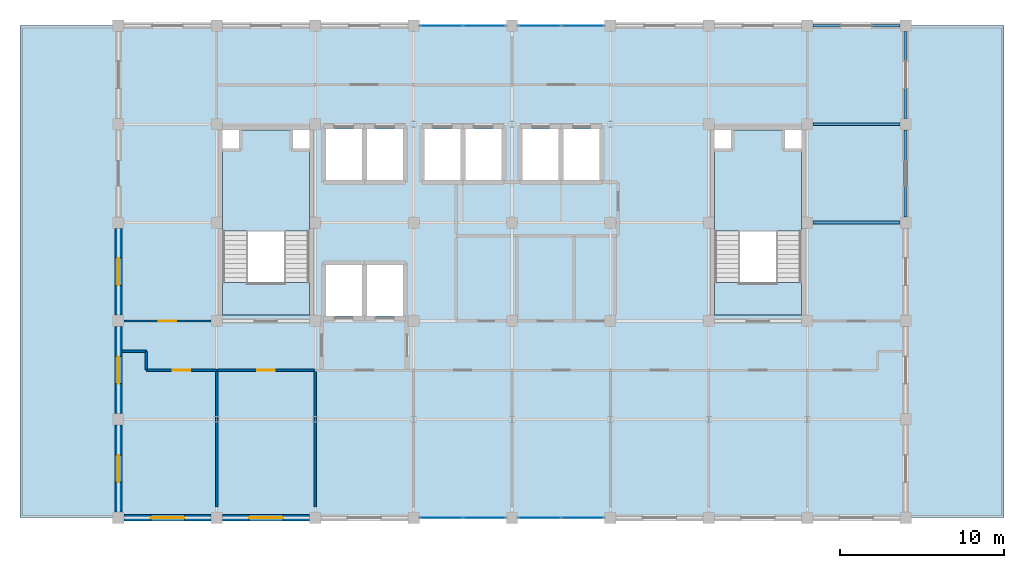
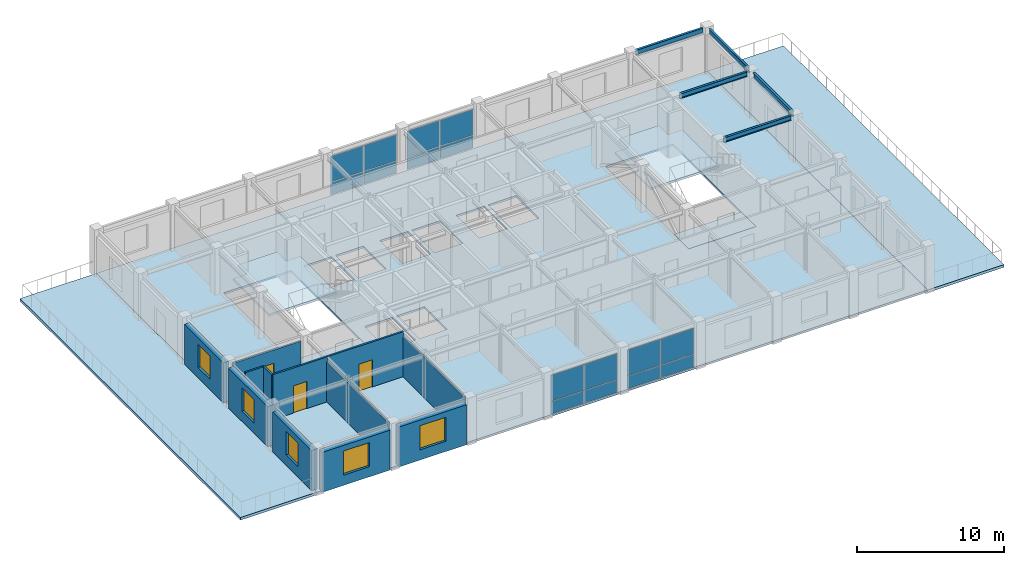
# One storey, part 11 of 15: 16 plates, 12 walls, 7 slabs, 5 beams, 5 windows, 3 doors, 8 openings, 6 elements without a shape of their own.
"""IFC4 building model written with IfcOpenShell, lengths in metres."""

from ifc_helpers import new_model, si_unit, direction, frame, frame_2d, origin, origin_2d, place, context, subcontext, project, spatial, polyline, rectangle, i_section, outline, extrude, material, layer, layer_set, material_profile, profile_set, type_object, element, fill, aggregate, save


model = new_model("IFC4")

# Units and contexts
model_context = context("Model", 3, precision=1e-05, world=origin(), true_north=direction((0.0, 1.0)))
body_context = subcontext(model_context, "Body", "Model", "MODEL_VIEW")
ifc_project = project(units=[si_unit("LENGTHUNIT", "METRE"), si_unit("AREAUNIT", "SQUARE_METRE"), si_unit("VOLUMEUNIT", "CUBIC_METRE"), si_unit("PLANEANGLEUNIT", "RADIAN"), si_unit("MASSUNIT", "GRAM", prefix="KILO")], contexts=[model_context])

# Site, building, storey
site_placement = place(None, origin())
site = spatial("IfcSite", under=ifc_project, at=site_placement, CompositionType="ELEMENT")
building_placement = place(site_placement, origin())
building = spatial("IfcBuilding", under=site, at=building_placement, Name="Zlatovratsky Civic Hall", CompositionType="ELEMENT")
storey_placement = place(building_placement, frame((0.0, 0.0, 36.60009765625)))
storey = spatial("IfcBuildingStorey", under=building, at=storey_placement, Name="L09", CompositionType="ELEMENT", Elevation=36.60009765625)

# Beams
ifc_material_1 = material(Name="Steel S355", Category="steel")
ifc_material_profile_1 = material_profile(ifc_material_1, i_section(OverallWidth=0.169921875, OverallDepth=0.446044921875, WebThickness=0.007568359375, FlangeThickness=0.010986328125, FilletRadius=0.01611328125, at=origin_2d()), Name="45B1")
ifc_profile_set_1 = profile_set([ifc_material_profile_1], Name="Steel S355")
beam_type_1 = type_object("IfcBeamType", Name="Beam_Spandrel_45B1", PredefinedType="SPANDREL", material=ifc_profile_set_1)
for number, where, z_axis, x_axis, name in (
    (1, (102.35009765625, 102.0, 3.516845703125), (1.0, 0.0, 0.0), (0.0, 1.0, 0.0), "BM-4562"),
    (2, (108.0, 90.35009765625, 3.516845703125), (0.0, 1.0, 0.0), (-1.0, 0.0, 0.0), "BM-4606"),
    (3, (108.0, 96.35009765625, 3.516845703125), (0.0, 1.0, 0.0), (-1.0, 0.0, 0.0), "BM-4607"),
):
    element("IfcBeam", number, at=place(storey_placement, frame(where, z_axis=z_axis, x_axis=x_axis)), inside=storey, type_object=beam_type_1, Name=name, PredefinedType="SPANDREL", context=body_context, shape_type="SweptSolid", body=[
        extrude(i_section(OverallWidth=0.169921875, OverallDepth=0.446044921875, WebThickness=0.007568359375, FlangeThickness=0.010986328125, FilletRadius=0.01611328125, at=origin_2d()), origin(), (0.0, 0.0, 1.0), 5.2998046875),
    ])
ifc_material_profile_2 = material_profile(ifc_material_1, i_section(OverallWidth=0.1650390625, OverallDepth=0.39208984375, WebThickness=0.006591796875, FlangeThickness=0.009521484375, FilletRadius=0.014892578125, at=origin_2d()), Name="40B1")
ifc_profile_set_2 = profile_set([ifc_material_profile_2], Name="Steel S355")
beam_type_2 = type_object("IfcBeamType", Name="Beam_Tie_40B1", PredefinedType="BEAM", material=ifc_profile_set_2)
for number, where, z_axis, x_axis, name in (
    (4, (102.35009765625, 90.0, 3.5439453125), (1.0, 0.0, 0.0), (0.0, 1.0, 0.0), "BM-4546"),
    (5, (102.35009765625, 96.0, 3.5439453125), (1.0, 0.0, 0.0), (0.0, 1.0, 0.0), "BM-4554"),
):
    element("IfcBeam", number, at=place(storey_placement, frame(where, z_axis=z_axis, x_axis=x_axis)), inside=storey, type_object=beam_type_2, Name=name, PredefinedType="BEAM", context=body_context, shape_type="SweptSolid", body=[
        extrude(i_section(OverallWidth=0.1650390625, OverallDepth=0.39208984375, WebThickness=0.006591796875, FlangeThickness=0.009521484375, FilletRadius=0.014892578125, at=origin_2d()), origin(), (0.0, 0.0, 1.0), 5.2998046875),
    ])

# Curtain wall, plates
ifc_material_2 = material(Name="Anodised bronze aluminium", Category="aluminium")
ifc_layer_1 = layer(ifc_material_2, 0.159912109375)
ifc_layer_set_1 = layer_set([ifc_layer_1], Name="Anodised bronze aluminium")
curtain_wall_type = type_object("IfcCurtainWallType", Name="CurtainWall_Bronze_5300x3320_21", PredefinedType="NOTDEFINED", material=ifc_layer_set_1)
curtain_wall_1_placement = place(storey_placement, origin())
curtain_wall_1 = element("IfcCurtainWall", 6, at=curtain_wall_1_placement, inside=storey, type_object=curtain_wall_type, Name="CW-145", PredefinedType="NOTDEFINED")
ifc_material_3 = material(Name="Solar-control triple glazing", Category="glass")
ifc_layer_2 = layer(ifc_material_3, 0.028076171875)
ifc_layer_set_2 = layer_set([ifc_layer_2], Name="Solar-control triple glazing")
plate_type = type_object("IfcPlateType", Name="Panel_TowerTripleGlazing_28", PredefinedType="CURTAIN_PANEL", material=ifc_layer_set_2)
plate_1_placement = place(storey_placement, frame((79.68994140625, 72.0, 0.06005859375), z_axis=(0.0, 0.0, 1.0), x_axis=(1.0, 0.0, 0.0)))
plate_1 = element("IfcPlate", 7, at=plate_1_placement, type_object=plate_type, Name="CW-21 panel 1.1", PredefinedType="CURTAIN_PANEL", context=body_context, shape_type="SweptSolid", body=[
    extrude(rectangle(XDim=2.56005859375, YDim=0.028076171875, at=origin_2d()), origin(), (0.0, 0.0, 1.0), 1.010009765625),
])
plate_2_placement = place(storey_placement, frame((79.68994140625, 72.0, 1.1298828125), z_axis=(0.0, 0.0, 1.0), x_axis=(1.0, 0.0, 0.0)))
plate_2 = element("IfcPlate", 8, at=plate_2_placement, type_object=plate_type, Name="CW-21 panel 1.2", PredefinedType="CURTAIN_PANEL", context=body_context, shape_type="SweptSolid", body=[
    extrude(rectangle(XDim=2.56005859375, YDim=0.028076171875, at=origin_2d()), origin(), (0.0, 0.0, 1.0), 2.1298828125),
])
plate_3_placement = place(storey_placement, frame((82.31005859375, 72.0, 0.06005859375), z_axis=(0.0, 0.0, 1.0), x_axis=(1.0, 0.0, 0.0)))
plate_3 = element("IfcPlate", 9, at=plate_3_placement, type_object=plate_type, Name="CW-21 panel 2.1", PredefinedType="CURTAIN_PANEL", context=body_context, shape_type="SweptSolid", body=[
    extrude(rectangle(XDim=2.56005859375, YDim=0.028076171875, at=origin_2d()), origin(), (0.0, 0.0, 1.0), 1.010009765625),
])
plate_4_placement = place(storey_placement, frame((82.31005859375, 72.0, 1.1298828125), z_axis=(0.0, 0.0, 1.0), x_axis=(1.0, 0.0, 0.0)))
plate_4 = element("IfcPlate", 10, at=plate_4_placement, type_object=plate_type, Name="CW-21 panel 2.2", PredefinedType="CURTAIN_PANEL", context=body_context, shape_type="SweptSolid", body=[
    extrude(rectangle(XDim=2.56005859375, YDim=0.028076171875, at=origin_2d()), origin(), (0.0, 0.0, 1.0), 2.1298828125),
])
aggregate(curtain_wall_1, [plate_1, plate_2, plate_3, plate_4])

curtain_wall_2_placement = place(storey_placement, origin())
curtain_wall_2 = element("IfcCurtainWall", 11, at=curtain_wall_2_placement, inside=storey, type_object=curtain_wall_type, Name="CW-146", PredefinedType="NOTDEFINED")
plate_5_placement = place(storey_placement, frame((85.68994140625, 72.0, 0.06005859375), z_axis=(0.0, 0.0, 1.0), x_axis=(1.0, 0.0, 0.0)))
plate_5 = element("IfcPlate", 12, at=plate_5_placement, type_object=plate_type, Name="CW-21 panel 1.1", PredefinedType="CURTAIN_PANEL", context=body_context, shape_type="SweptSolid", body=[
    extrude(rectangle(XDim=2.56005859375, YDim=0.028076171875, at=origin_2d()), origin(), (0.0, 0.0, 1.0), 1.010009765625),
])
plate_6_placement = place(storey_placement, frame((85.68994140625, 72.0, 1.1298828125), z_axis=(0.0, 0.0, 1.0), x_axis=(1.0, 0.0, 0.0)))
plate_6 = element("IfcPlate", 13, at=plate_6_placement, type_object=plate_type, Name="CW-21 panel 1.2", PredefinedType="CURTAIN_PANEL", context=body_context, shape_type="SweptSolid", body=[
    extrude(rectangle(XDim=2.56005859375, YDim=0.028076171875, at=origin_2d()), origin(), (0.0, 0.0, 1.0), 2.1298828125),
])
plate_7_placement = place(storey_placement, frame((88.31005859375, 72.0, 0.06005859375), z_axis=(0.0, 0.0, 1.0), x_axis=(1.0, 0.0, 0.0)))
plate_7 = element("IfcPlate", 14, at=plate_7_placement, type_object=plate_type, Name="CW-21 panel 2.1", PredefinedType="CURTAIN_PANEL", context=body_context, shape_type="SweptSolid", body=[
    extrude(rectangle(XDim=2.56005859375, YDim=0.028076171875, at=origin_2d()), origin(), (0.0, 0.0, 1.0), 1.010009765625),
])
plate_8_placement = place(storey_placement, frame((88.31005859375, 72.0, 1.1298828125), z_axis=(0.0, 0.0, 1.0), x_axis=(1.0, 0.0, 0.0)))
plate_8 = element("IfcPlate", 15, at=plate_8_placement, type_object=plate_type, Name="CW-21 panel 2.2", PredefinedType="CURTAIN_PANEL", context=body_context, shape_type="SweptSolid", body=[
    extrude(rectangle(XDim=2.56005859375, YDim=0.028076171875, at=origin_2d()), origin(), (0.0, 0.0, 1.0), 2.1298828125),
])
aggregate(curtain_wall_2, [plate_5, plate_6, plate_7, plate_8])

curtain_wall_3_placement = place(storey_placement, origin())
curtain_wall_3 = element("IfcCurtainWall", 16, at=curtain_wall_3_placement, inside=storey, type_object=curtain_wall_type, Name="CW-147", PredefinedType="NOTDEFINED")
plate_9_placement = place(storey_placement, frame((79.68994140625, 102.0, 0.06005859375), z_axis=(0.0, 0.0, 1.0), x_axis=(1.0, 0.0, 0.0)))
plate_9 = element("IfcPlate", 17, at=plate_9_placement, type_object=plate_type, Name="CW-21 panel 1.1", PredefinedType="CURTAIN_PANEL", context=body_context, shape_type="SweptSolid", body=[
    extrude(rectangle(XDim=2.56005859375, YDim=0.028076171875, at=origin_2d()), origin(), (0.0, 0.0, 1.0), 1.010009765625),
])
plate_10_placement = place(storey_placement, frame((79.68994140625, 102.0, 1.1298828125), z_axis=(0.0, 0.0, 1.0), x_axis=(1.0, 0.0, 0.0)))
plate_10 = element("IfcPlate", 18, at=plate_10_placement, type_object=plate_type, Name="CW-21 panel 1.2", PredefinedType="CURTAIN_PANEL", context=body_context, shape_type="SweptSolid", body=[
    extrude(rectangle(XDim=2.56005859375, YDim=0.028076171875, at=origin_2d()), origin(), (0.0, 0.0, 1.0), 2.1298828125),
])
plate_11_placement = place(storey_placement, frame((82.31005859375, 102.0, 0.06005859375), z_axis=(0.0, 0.0, 1.0), x_axis=(1.0, 0.0, 0.0)))
plate_11 = element("IfcPlate", 19, at=plate_11_placement, type_object=plate_type, Name="CW-21 panel 2.1", PredefinedType="CURTAIN_PANEL", context=body_context, shape_type="SweptSolid", body=[
    extrude(rectangle(XDim=2.56005859375, YDim=0.028076171875, at=origin_2d()), origin(), (0.0, 0.0, 1.0), 1.010009765625),
])
plate_12_placement = place(storey_placement, frame((82.31005859375, 102.0, 1.1298828125), z_axis=(0.0, 0.0, 1.0), x_axis=(1.0, 0.0, 0.0)))
plate_12 = element("IfcPlate", 20, at=plate_12_placement, type_object=plate_type, Name="CW-21 panel 2.2", PredefinedType="CURTAIN_PANEL", context=body_context, shape_type="SweptSolid", body=[
    extrude(rectangle(XDim=2.56005859375, YDim=0.028076171875, at=origin_2d()), origin(), (0.0, 0.0, 1.0), 2.1298828125),
])
aggregate(curtain_wall_3, [plate_9, plate_10, plate_11, plate_12])

curtain_wall_4_placement = place(storey_placement, origin())
curtain_wall_4 = element("IfcCurtainWall", 21, at=curtain_wall_4_placement, inside=storey, type_object=curtain_wall_type, Name="CW-148", PredefinedType="NOTDEFINED")
plate_13_placement = place(storey_placement, frame((85.68994140625, 102.0, 0.06005859375), z_axis=(0.0, 0.0, 1.0), x_axis=(1.0, 0.0, 0.0)))
plate_13 = element("IfcPlate", 22, at=plate_13_placement, type_object=plate_type, Name="CW-21 panel 1.1", PredefinedType="CURTAIN_PANEL", context=body_context, shape_type="SweptSolid", body=[
    extrude(rectangle(XDim=2.56005859375, YDim=0.028076171875, at=origin_2d()), origin(), (0.0, 0.0, 1.0), 1.010009765625),
])
plate_14_placement = place(storey_placement, frame((85.68994140625, 102.0, 1.1298828125), z_axis=(0.0, 0.0, 1.0), x_axis=(1.0, 0.0, 0.0)))
plate_14 = element("IfcPlate", 23, at=plate_14_placement, type_object=plate_type, Name="CW-21 panel 1.2", PredefinedType="CURTAIN_PANEL", context=body_context, shape_type="SweptSolid", body=[
    extrude(rectangle(XDim=2.56005859375, YDim=0.028076171875, at=origin_2d()), origin(), (0.0, 0.0, 1.0), 2.1298828125),
])
plate_15_placement = place(storey_placement, frame((88.31005859375, 102.0, 0.06005859375), z_axis=(0.0, 0.0, 1.0), x_axis=(1.0, 0.0, 0.0)))
plate_15 = element("IfcPlate", 24, at=plate_15_placement, type_object=plate_type, Name="CW-21 panel 2.1", PredefinedType="CURTAIN_PANEL", context=body_context, shape_type="SweptSolid", body=[
    extrude(rectangle(XDim=2.56005859375, YDim=0.028076171875, at=origin_2d()), origin(), (0.0, 0.0, 1.0), 1.010009765625),
])
plate_16_placement = place(storey_placement, frame((88.31005859375, 102.0, 1.1298828125), z_axis=(0.0, 0.0, 1.0), x_axis=(1.0, 0.0, 0.0)))
plate_16 = element("IfcPlate", 25, at=plate_16_placement, type_object=plate_type, Name="CW-21 panel 2.2", PredefinedType="CURTAIN_PANEL", context=body_context, shape_type="SweptSolid", body=[
    extrude(rectangle(XDim=2.56005859375, YDim=0.028076171875, at=origin_2d()), origin(), (0.0, 0.0, 1.0), 2.1298828125),
])
aggregate(curtain_wall_4, [plate_13, plate_14, plate_15, plate_16])

# Slabs
ifc_material_4 = material(Name="Concrete C30/37 (B35)", Category="concrete")
ifc_layer_3 = layer(ifc_material_4, 0.239990234375)
ifc_layer_set_3 = layer_set([ifc_layer_3], Name="Concrete C30/37 (B35)")
slab_type_1 = type_object("IfcSlabType", Name="Slab_CivicPodiumFloor_240", PredefinedType="FLOOR", material=ifc_layer_set_3)
slab_1_placement = place(storey_placement, frame((0.0, 0.0, -0.239990234375)))
element("IfcSlab", 26, at=slab_1_placement, inside=storey, type_object=slab_type_1, Name="SL-060", PredefinedType="FLOOR", context=body_context, shape_type="SweptSolid", body=[
    extrude(outline(polyline([(66.35009765625, 84.35009765625), (71.64990234375, 84.35009765625), (71.64990234375, 86.35009765625), (66.35009765625, 86.35009765625), (66.35009765625, 84.35009765625)])), origin(), (0.0, 0.0, 1.0), 0.239990234375),
])
slab_2_placement = place(storey_placement, frame((0.0, 0.0, -0.239990234375)))
element("IfcSlab", 27, at=slab_2_placement, inside=storey, type_object=slab_type_1, Name="SL-061", PredefinedType="FLOOR", context=body_context, shape_type="SweptSolid", body=[
    extrude(outline(polyline([(96.35009765625, 84.35009765625), (101.64990234375, 84.35009765625), (101.64990234375, 86.35009765625), (96.35009765625, 86.35009765625), (96.35009765625, 84.35009765625)])), origin(), (0.0, 0.0, 1.0), 0.239990234375),
])
ifc_layer_4 = layer(ifc_material_4, 0.219970703125)
ifc_layer_set_4 = layer_set([ifc_layer_4], Name="Concrete C30/37 (B35)")
slab_type_2 = type_object("IfcSlabType", Name="Slab_OutdoorStoneTerrace_220", PredefinedType="FLOOR", material=ifc_layer_set_4)
slab_3_placement = place(storey_placement, frame((0.0, 0.0, -0.22021484375)))
element("IfcSlab", 28, at=slab_3_placement, inside=storey, type_object=slab_type_2, Name="SL-062", PredefinedType="FLOOR", context=body_context, shape_type="SweptSolid", body=[
    extrude(outline(polyline([(54.0, 72.0), (60.0, 72.0), (60.0, 102.0), (54.0, 102.0), (54.0, 72.0)])), origin(), (0.0, 0.0, 1.0), 0.22021484375),
])
slab_4_placement = place(storey_placement, frame((0.0, 0.0, -0.22021484375)))
element("IfcSlab", 29, at=slab_4_placement, inside=storey, type_object=slab_type_2, Name="SL-063", PredefinedType="FLOOR", context=body_context, shape_type="SweptSolid", body=[
    extrude(outline(polyline([(108.0, 72.0), (114.0, 72.0), (114.0, 102.0), (108.0, 102.0), (108.0, 72.0)])), origin(), (0.0, 0.0, 1.0), 0.22021484375),
])

# Stair, slab
stair_type = type_object("IfcStairType", Name="Stair_HALF_24R_1550W_04", PredefinedType="HALF_TURN_STAIR", material=ifc_material_4)
stair_1_placement = place(storey_placement, origin())
stair_1 = element("IfcStair", 30, at=stair_1_placement, inside=storey, type_object=stair_type, Name="ST-010", PredefinedType="HALF_TURN_STAIR")
ifc_layer_5 = layer(ifc_material_4, 0.179931640625)
ifc_layer_set_5 = layer_set([ifc_layer_5], Name="Concrete C30/37 (B35)")
slab_type_3 = type_object("IfcSlabType", Name="Slab_StairLanding_180", PredefinedType="LANDING", material=ifc_layer_set_5)
slab_5_placement = place(storey_placement, frame((0.0, 0.0, 1.77001953125)))
slab_5 = element("IfcSlab", 31, at=slab_5_placement, type_object=slab_type_3, Name="SL-LD-10", PredefinedType="LANDING", context=body_context, shape_type="SweptSolid", body=[
    extrude(outline(polyline([(66.35009765625, 89.485107421875), (71.64990234375, 89.485107421875), (71.64990234375, 94.39990234375), (70.550048828125, 94.39990234375), (70.550048828125, 95.64990234375), (67.449951171875, 95.64990234375), (67.449951171875, 94.39990234375), (66.35009765625, 94.39990234375), (66.35009765625, 89.485107421875)])), origin(), (0.0, 0.0, 1.0), 0.179931640625),
])
aggregate(stair_1, [slab_5])

stair_2_placement = place(storey_placement, origin())
stair_2 = element("IfcStair", 32, at=stair_2_placement, inside=storey, type_object=stair_type, Name="ST-029", PredefinedType="HALF_TURN_STAIR")
slab_6_placement = place(storey_placement, frame((0.0, 0.0, 1.77001953125)))
slab_6 = element("IfcSlab", 33, at=slab_6_placement, type_object=slab_type_3, Name="SL-LD-29", PredefinedType="LANDING", context=body_context, shape_type="SweptSolid", body=[
    extrude(outline(polyline([(96.35009765625, 89.485107421875), (101.64990234375, 89.485107421875), (101.64990234375, 94.39990234375), (100.550048828125, 94.39990234375), (100.550048828125, 95.64990234375), (97.449951171875, 95.64990234375), (97.449951171875, 94.39990234375), (96.35009765625, 94.39990234375), (96.35009765625, 89.485107421875)])), origin(), (0.0, 0.0, 1.0), 0.179931640625),
])
aggregate(stair_2, [slab_6])

# Slab
ifc_layer_6 = layer(ifc_material_4, 0.159912109375)
ifc_layer_set_6 = layer_set([ifc_layer_6], Name="Concrete C30/37 (B35)")
slab_type_4 = type_object("IfcSlabType", Name="Slab_TowerCompositeFloor_160", PredefinedType="FLOOR", material=ifc_layer_set_6)
slab_7_placement = place(storey_placement, frame((0.0, 0.0, -0.16015625)))
element("IfcSlab", 34, at=slab_7_placement, inside=storey, type_object=slab_type_4, Name="SL-059", PredefinedType="FLOOR", context=body_context, shape_type="SweptSolid", body=[
    extrude(outline(polyline([(60.0, 72.0), (108.0, 72.0), (108.0, 102.0), (60.0, 102.0), (60.0, 72.0)]), holes=[polyline([(66.35009765625, 84.35009765625), (71.64990234375, 84.35009765625), (71.64990234375, 95.64990234375), (66.35009765625, 95.64990234375), (66.35009765625, 84.35009765625)]), polyline([(96.35009765625, 84.35009765625), (101.64990234375, 84.35009765625), (101.64990234375, 95.64990234375), (96.35009765625, 95.64990234375), (96.35009765625, 84.35009765625)]), polyline([(72.64990234375, 84.300048828125), (74.85009765625, 84.300048828125), (74.85009765625, 87.39990234375), (72.64990234375, 87.39990234375), (72.64990234375, 84.300048828125)]), polyline([(75.14990234375, 84.300048828125), (77.35009765625, 84.300048828125), (77.35009765625, 87.39990234375), (75.14990234375, 87.39990234375), (75.14990234375, 84.300048828125)]), polyline([(72.64990234375, 92.60009765625), (74.85009765625, 92.60009765625), (74.85009765625, 95.699951171875), (72.64990234375, 95.699951171875), (72.64990234375, 92.60009765625)]), polyline([(75.14990234375, 92.60009765625), (77.35009765625, 92.60009765625), (77.35009765625, 95.699951171875), (75.14990234375, 95.699951171875), (75.14990234375, 92.60009765625)]), polyline([(78.64990234375, 92.60009765625), (80.85009765625, 92.60009765625), (80.85009765625, 95.699951171875), (78.64990234375, 95.699951171875), (78.64990234375, 92.60009765625)]), polyline([(81.14990234375, 92.60009765625), (83.35009765625, 92.60009765625), (83.35009765625, 95.699951171875), (81.14990234375, 95.699951171875), (81.14990234375, 92.60009765625)]), polyline([(84.64990234375, 92.60009765625), (86.85009765625, 92.60009765625), (86.85009765625, 95.699951171875), (84.64990234375, 95.699951171875), (84.64990234375, 92.60009765625)]), polyline([(87.14990234375, 92.60009765625), (89.35009765625, 92.60009765625), (89.35009765625, 95.699951171875), (87.14990234375, 95.699951171875), (87.14990234375, 92.60009765625)])]), origin(), (0.0, 0.0, 1.0), 0.16015625),
])

# Wall, opening, door
ifc_material_5 = material(Name="Fire-rated gypsum board framing", Category="gypsum")
ifc_layer_7 = layer(ifc_material_5, 0.139892578125)
ifc_layer_set_7 = layer_set([ifc_layer_7], Name="Fire-rated gypsum board framing")
wall_type_1 = type_object("IfcWallType", Name="Wall_OfficePartition_140", PredefinedType="PARTITIONING", material=ifc_layer_set_7)
wall_1_placement = place(storey_placement, frame((61.699951171875, 81.0, 0.0), z_axis=(0.0, 0.0, 1.0), x_axis=(1.0, 0.0, 0.0)))
wall_1 = element("IfcWall", 35, at=wall_1_placement, inside=storey, type_object=wall_type_1, Name="WL-6446", PredefinedType="PARTITIONING", context=body_context, shape_type="SweptSolid", body=[
    extrude(rectangle(XDim=4.300048828125, YDim=0.139892578125, at=frame_2d((2.14990234375, 0.0))), origin(), (0.0, 0.0, 1.0), 3.739990234375),
])
opening_1_placement = place(wall_1_placement, frame((1.625, 0.0, 0.0)))
opening_1 = element("IfcOpeningElement", 36, at=opening_1_placement, cuts=wall_1, Name="Opening D-24", PredefinedType="OPENING", context=body_context, shape_type="SweptSolid", body=[
    extrude(rectangle(XDim=1.050048828125, YDim=2.25, at=frame_2d((0.52490234375, 1.125))), frame((0.0, 0.0849609375, 0.0), z_axis=(0.0, -1.0, 0.0), x_axis=(1.0, 0.0, 0.0)), (0.0, 0.0, 1.0), 0.169677734375),
])
ifc_material_6 = material(Name="Solid oak joinery in steel frame", Category="steel")
door_type = type_object("IfcDoorType", Name="Door_DirectorateOffice_1050x2250", OperationType="NOTDEFINED", PredefinedType="DOOR", material=ifc_material_6)
door_1_placement = place(opening_1_placement, origin())
door_1 = element("IfcDoor", 37, at=door_1_placement, inside=storey, type_object=door_type, Name="DR-5420", OperationType="SINGLE_SWING_LEFT", OverallHeight=2.25, OverallWidth=1.050048828125, PredefinedType="DOOR", context=body_context, shape_type="SweptSolid", body=[
    extrude(rectangle(XDim=1.050048828125, YDim=2.25, at=frame_2d((0.52490234375, 1.125))), frame((0.0, 0.02490234375, 0.0), z_axis=(0.0, -1.0, 0.0), x_axis=(1.0, 0.0, 0.0)), (0.0, 0.0, 1.0), 0.050048828125),
])
fill(opening_1, door_1)

wall_2_placement = place(storey_placement, frame((66.0, 81.0, 0.0), z_axis=(0.0, 0.0, 1.0), x_axis=(1.0, 0.0, 0.0)))
wall_2 = element("IfcWall", 38, at=wall_2_placement, inside=storey, type_object=wall_type_1, Name="WL-6447", PredefinedType="PARTITIONING", context=body_context, shape_type="SweptSolid", body=[
    extrude(rectangle(XDim=6.0, YDim=0.139892578125, at=frame_2d((3.0, 0.0))), origin(), (0.0, 0.0, 1.0), 3.739990234375),
])
opening_2_placement = place(wall_2_placement, frame((2.47509765625, 0.0, 0.0)))
opening_2 = element("IfcOpeningElement", 39, at=opening_2_placement, cuts=wall_2, Name="Opening D-24", PredefinedType="OPENING", context=body_context, shape_type="SweptSolid", body=[
    extrude(rectangle(XDim=1.050048828125, YDim=2.25, at=frame_2d((0.52490234375, 1.125))), frame((0.0, 0.0849609375, 0.0), z_axis=(0.0, -1.0, 0.0), x_axis=(1.0, 0.0, 0.0)), (0.0, 0.0, 1.0), 0.169677734375),
])
door_2_placement = place(opening_2_placement, origin())
door_2 = element("IfcDoor", 40, at=door_2_placement, inside=storey, type_object=door_type, Name="DR-5421", OperationType="SINGLE_SWING_RIGHT", OverallHeight=2.25, OverallWidth=1.050048828125, PredefinedType="DOOR", context=body_context, shape_type="SweptSolid", body=[
    extrude(rectangle(XDim=1.050048828125, YDim=2.25, at=frame_2d((0.52490234375, 1.125))), frame((0.0, 0.02490234375, 0.0), z_axis=(0.0, -1.0, 0.0), x_axis=(1.0, 0.0, 0.0)), (0.0, 0.0, 1.0), 0.050048828125),
])
fill(opening_2, door_2)

wall_3_placement = place(storey_placement, frame((60.35009765625, 84.0, 0.0), z_axis=(0.0, 0.0, 1.0), x_axis=(1.0, 0.0, 0.0)))
wall_3 = element("IfcWall", 41, at=wall_3_placement, inside=storey, type_object=wall_type_1, Name="WL-6454", PredefinedType="PARTITIONING", context=body_context, shape_type="SweptSolid", body=[
    extrude(rectangle(XDim=5.2998046875, YDim=0.139892578125, at=frame_2d((2.64990234375, 0.0))), origin(), (0.0, 0.0, 1.0), 3.347900390625),
])
opening_3_placement = place(wall_3_placement, frame((2.125, 0.0, 0.0)))
opening_3 = element("IfcOpeningElement", 42, at=opening_3_placement, cuts=wall_3, Name="Opening D-24", PredefinedType="OPENING", context=body_context, shape_type="SweptSolid", body=[
    extrude(rectangle(XDim=1.050048828125, YDim=2.25, at=frame_2d((0.52490234375, 1.125))), frame((0.0, 0.0849609375, 0.0), z_axis=(0.0, -1.0, 0.0), x_axis=(1.0, 0.0, 0.0)), (0.0, 0.0, 1.0), 0.169677734375),
])
door_3_placement = place(opening_3_placement, origin())
door_3 = element("IfcDoor", 43, at=door_3_placement, inside=storey, type_object=door_type, Name="DR-5428", OperationType="SINGLE_SWING_LEFT", OverallHeight=2.25, OverallWidth=1.050048828125, PredefinedType="DOOR", context=body_context, shape_type="SweptSolid", body=[
    extrude(rectangle(XDim=1.050048828125, YDim=2.25, at=frame_2d((0.52490234375, 1.125))), frame((0.0, 0.02490234375, 0.0), z_axis=(0.0, -1.0, 0.0), x_axis=(1.0, 0.0, 0.0)), (0.0, 0.0, 1.0), 0.050048828125),
])
fill(opening_3, door_3)

# Walls
for number, where, z_axis, x_axis, name in (
    (44, (66.0, 72.64990234375, 0.0), (0.0, 0.0, 1.0), (0.0, 1.0, 0.0), "WL-6458"),
    (45, (72.0, 72.64990234375, 0.0), (0.0, 0.0, 1.0), (0.0, 1.0, 0.0), "WL-6459"),
):
    element("IfcWall", number, at=place(storey_placement, frame(where, z_axis=z_axis, x_axis=x_axis)), inside=storey, type_object=wall_type_1, Name=name, PredefinedType="PARTITIONING", context=body_context, shape_type="SweptSolid", body=[
        extrude(rectangle(XDim=8.35009765625, YDim=0.139892578125, at=frame_2d((4.175048828125, 0.0))), origin(), (0.0, 0.0, 1.0), 3.347900390625),
    ])
wall_4_placement = place(storey_placement, frame((61.699951171875, 81.0, 0.0), z_axis=(0.0, 0.0, 1.0), x_axis=(0.0, 1.0, 0.0)))
element("IfcWall", 46, at=wall_4_placement, inside=storey, type_object=wall_type_1, Name="WL-6471", PredefinedType="PARTITIONING", context=body_context, shape_type="SweptSolid", body=[
    extrude(rectangle(XDim=1.14990234375, YDim=0.139892578125, at=frame_2d((0.574951171875, 0.0))), origin(), (0.0, 0.0, 1.0), 3.739990234375),
])
wall_5_placement = place(storey_placement, frame((61.699951171875, 82.14990234375, 0.0), z_axis=(0.0, 0.0, 1.0), x_axis=(-1.0, 0.0, 0.0)))
element("IfcWall", 47, at=wall_5_placement, inside=storey, type_object=wall_type_1, Name="WL-6472", PredefinedType="PARTITIONING", context=body_context, shape_type="SweptSolid", body=[
    extrude(rectangle(XDim=1.489990234375, YDim=0.139892578125, at=frame_2d((0.7451171875, 0.0))), origin(), (0.0, 0.0, 1.0), 3.739990234375),
])

# Wall, opening, window
ifc_material_7 = material(Name="Acoustic ceramic blockwork", Category="masonry")
ifc_layer_8 = layer(ifc_material_7, 0.280029296875, Name="Backing")
ifc_material_8 = material(Name="Podolsk limestone ashlar", Category="masonry")
ifc_layer_9 = layer(ifc_material_8, 0.139892578125, Name="Finish")
ifc_layer_set_8 = layer_set([ifc_layer_8, ifc_layer_9], Name="Acoustic ceramic blockwork")
wall_type_2 = type_object("IfcWallType", Name="Wall_TowerLimestoneAshlar_420", PredefinedType="SOLIDWALL", material=ifc_layer_set_8)
wall_6_placement = place(storey_placement, frame((60.35009765625, 72.0, 0.0), z_axis=(0.0, 0.0, 1.0), x_axis=(1.0, 0.0, 0.0)))
wall_6 = element("IfcWall", 48, at=wall_6_placement, inside=storey, type_object=wall_type_2, Name="WL-0501", PredefinedType="SOLIDWALL", context=body_context, shape_type="SweptSolid", body=[
    extrude(rectangle(XDim=5.2998046875, YDim=0.419921875, at=frame_2d((2.64990234375, 0.0))), origin(), (0.0, 0.0, 1.0), 3.31982421875),
])
opening_4_placement = place(wall_6_placement, frame((1.625, 0.0, 0.85009765625)))
opening_4 = element("IfcOpeningElement", 49, at=opening_4_placement, cuts=wall_6, Name="Opening WN-17", PredefinedType="OPENING", context=body_context, shape_type="SweptSolid", body=[
    extrude(rectangle(XDim=2.050048828125, YDim=2.0, at=frame_2d((1.02490234375, 1.0))), frame((0.0, 0.224853515625, 0.0), z_axis=(0.0, -1.0, 0.0), x_axis=(1.0, 0.0, 0.0)), (0.0, 0.0, 1.0), 0.44970703125),
])
ifc_material_9 = material(Name="Low-E laminated double glazing", Category="glass")
window_type_1 = type_object("IfcWindowType", Name="Window_TowerTier2South_2050x2000", PartitioningType="SINGLE_PANEL", PredefinedType="WINDOW", material=ifc_material_9)
window_1_placement = place(opening_4_placement, origin())
window_1 = element("IfcWindow", 50, at=window_1_placement, inside=storey, type_object=window_type_1, Name="WN-0377", OverallHeight=2.0, OverallWidth=2.050048828125, PartitioningType="SINGLE_PANEL", PredefinedType="WINDOW", context=body_context, shape_type="SweptSolid", body=[
    extrude(rectangle(XDim=2.050048828125, YDim=2.0, at=frame_2d((1.02490234375, 1.0))), frame((0.0, 0.030029296875, 0.0), z_axis=(0.0, -1.0, 0.0), x_axis=(1.0, 0.0, 0.0)), (0.0, 0.0, 1.0), 0.06005859375),
])
fill(opening_4, window_1)

wall_7_placement = place(storey_placement, frame((66.35009765625, 72.0, 0.0), z_axis=(0.0, 0.0, 1.0), x_axis=(1.0, 0.0, 0.0)))
wall_7 = element("IfcWall", 51, at=wall_7_placement, inside=storey, type_object=wall_type_2, Name="WL-0502", PredefinedType="SOLIDWALL", context=body_context, shape_type="SweptSolid", body=[
    extrude(rectangle(XDim=5.2998046875, YDim=0.419921875, at=frame_2d((2.64990234375, 0.0))), origin(), (0.0, 0.0, 1.0), 3.31982421875),
])
opening_5_placement = place(wall_7_placement, frame((1.625, 0.0, 0.85009765625)))
opening_5 = element("IfcOpeningElement", 52, at=opening_5_placement, cuts=wall_7, Name="Opening WN-17", PredefinedType="OPENING", context=body_context, shape_type="SweptSolid", body=[
    extrude(rectangle(XDim=2.050048828125, YDim=2.0, at=frame_2d((1.02490234375, 1.0))), frame((0.0, 0.224853515625, 0.0), z_axis=(0.0, -1.0, 0.0), x_axis=(1.0, 0.0, 0.0)), (0.0, 0.0, 1.0), 0.44970703125),
])
window_2_placement = place(opening_5_placement, origin())
window_2 = element("IfcWindow", 53, at=window_2_placement, inside=storey, type_object=window_type_1, Name="WN-0378", OverallHeight=2.0, OverallWidth=2.050048828125, PartitioningType="SINGLE_PANEL", PredefinedType="WINDOW", context=body_context, shape_type="SweptSolid", body=[
    extrude(rectangle(XDim=2.050048828125, YDim=2.0, at=frame_2d((1.02490234375, 1.0))), frame((0.0, 0.030029296875, 0.0), z_axis=(0.0, -1.0, 0.0), x_axis=(1.0, 0.0, 0.0)), (0.0, 0.0, 1.0), 0.06005859375),
])
fill(opening_5, window_2)

wall_8_placement = place(storey_placement, frame((60.0, 72.35009765625, 0.0), z_axis=(0.0, 0.0, 1.0), x_axis=(0.0, 1.0, 0.0)))
wall_8 = element("IfcWall", 54, at=wall_8_placement, inside=storey, type_object=wall_type_2, Name="WL-0513", PredefinedType="SOLIDWALL", context=body_context, shape_type="SweptSolid", body=[
    extrude(rectangle(XDim=5.2998046875, YDim=0.419921875, at=frame_2d((2.64990234375, 0.0))), origin(), (0.0, 0.0, 1.0), 3.31982421875),
])
opening_6_placement = place(wall_8_placement, frame((1.824951171875, 0.0, 0.85009765625)))
opening_6 = element("IfcOpeningElement", 55, at=opening_6_placement, cuts=wall_8, Name="Opening WN-19", PredefinedType="OPENING", context=body_context, shape_type="SweptSolid", body=[
    extrude(rectangle(XDim=1.64990234375, YDim=1.949951171875, at=frame_2d((0.824951171875, 0.97509765625))), frame((0.0, 0.224853515625, 0.0), z_axis=(0.0, -1.0, 0.0), x_axis=(1.0, 0.0, 0.0)), (0.0, 0.0, 1.0), 0.44970703125),
])
window_type_2 = type_object("IfcWindowType", Name="Window_TowerTier2Flank_1650x1950", PartitioningType="SINGLE_PANEL", PredefinedType="WINDOW", material=ifc_material_9)
window_3_placement = place(opening_6_placement, origin())
window_3 = element("IfcWindow", 56, at=window_3_placement, inside=storey, type_object=window_type_2, Name="WN-0389", OverallHeight=1.949951171875, OverallWidth=1.64990234375, PartitioningType="SINGLE_PANEL", PredefinedType="WINDOW", context=body_context, shape_type="SweptSolid", body=[
    extrude(rectangle(XDim=1.64990234375, YDim=1.949951171875, at=frame_2d((0.824951171875, 0.97509765625))), frame((0.0, 0.030029296875, 0.0), z_axis=(0.0, -1.0, 0.0), x_axis=(1.0, 0.0, 0.0)), (0.0, 0.0, 1.0), 0.06005859375),
])
fill(opening_6, window_3)

wall_9_placement = place(storey_placement, frame((60.0, 78.35009765625, 0.0), z_axis=(0.0, 0.0, 1.0), x_axis=(0.0, 1.0, 0.0)))
wall_9 = element("IfcWall", 57, at=wall_9_placement, inside=storey, type_object=wall_type_2, Name="WL-0514", PredefinedType="SOLIDWALL", context=body_context, shape_type="SweptSolid", body=[
    extrude(rectangle(XDim=5.2998046875, YDim=0.419921875, at=frame_2d((2.64990234375, 0.0))), origin(), (0.0, 0.0, 1.0), 3.31982421875),
])
opening_7_placement = place(wall_9_placement, frame((1.824951171875, 0.0, 0.85009765625)))
opening_7 = element("IfcOpeningElement", 58, at=opening_7_placement, cuts=wall_9, Name="Opening WN-19", PredefinedType="OPENING", context=body_context, shape_type="SweptSolid", body=[
    extrude(rectangle(XDim=1.64990234375, YDim=1.949951171875, at=frame_2d((0.824951171875, 0.97509765625))), frame((0.0, 0.224853515625, 0.0), z_axis=(0.0, -1.0, 0.0), x_axis=(1.0, 0.0, 0.0)), (0.0, 0.0, 1.0), 0.44970703125),
])
window_4_placement = place(opening_7_placement, origin())
window_4 = element("IfcWindow", 59, at=window_4_placement, inside=storey, type_object=window_type_2, Name="WN-0390", OverallHeight=1.949951171875, OverallWidth=1.64990234375, PartitioningType="SINGLE_PANEL", PredefinedType="WINDOW", context=body_context, shape_type="SweptSolid", body=[
    extrude(rectangle(XDim=1.64990234375, YDim=1.949951171875, at=frame_2d((0.824951171875, 0.97509765625))), frame((0.0, 0.030029296875, 0.0), z_axis=(0.0, -1.0, 0.0), x_axis=(1.0, 0.0, 0.0)), (0.0, 0.0, 1.0), 0.06005859375),
])
fill(opening_7, window_4)

wall_10_placement = place(storey_placement, frame((60.0, 84.35009765625, 0.0), z_axis=(0.0, 0.0, 1.0), x_axis=(0.0, 1.0, 0.0)))
wall_10 = element("IfcWall", 60, at=wall_10_placement, inside=storey, type_object=wall_type_2, Name="WL-0515", PredefinedType="SOLIDWALL", context=body_context, shape_type="SweptSolid", body=[
    extrude(rectangle(XDim=5.2998046875, YDim=0.419921875, at=frame_2d((2.64990234375, 0.0))), origin(), (0.0, 0.0, 1.0), 3.31982421875),
])
opening_8_placement = place(wall_10_placement, frame((1.824951171875, 0.0, 0.85009765625)))
opening_8 = element("IfcOpeningElement", 61, at=opening_8_placement, cuts=wall_10, Name="Opening WN-19", PredefinedType="OPENING", context=body_context, shape_type="SweptSolid", body=[
    extrude(rectangle(XDim=1.64990234375, YDim=1.949951171875, at=frame_2d((0.824951171875, 0.97509765625))), frame((0.0, 0.224853515625, 0.0), z_axis=(0.0, -1.0, 0.0), x_axis=(1.0, 0.0, 0.0)), (0.0, 0.0, 1.0), 0.44970703125),
])
window_5_placement = place(opening_8_placement, origin())
window_5 = element("IfcWindow", 62, at=window_5_placement, inside=storey, type_object=window_type_2, Name="WN-0391", OverallHeight=1.949951171875, OverallWidth=1.64990234375, PartitioningType="SINGLE_PANEL", PredefinedType="WINDOW", context=body_context, shape_type="SweptSolid", body=[
    extrude(rectangle(XDim=1.64990234375, YDim=1.949951171875, at=frame_2d((0.824951171875, 0.97509765625))), frame((0.0, 0.030029296875, 0.0), z_axis=(0.0, -1.0, 0.0), x_axis=(1.0, 0.0, 0.0)), (0.0, 0.0, 1.0), 0.06005859375),
])
fill(opening_8, window_5)

save(model, "model.ifc")
